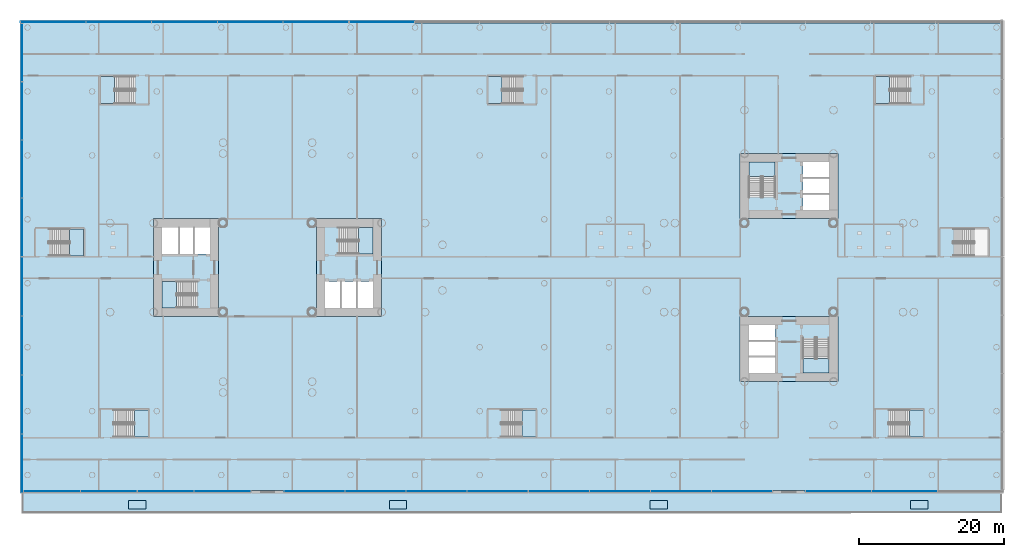
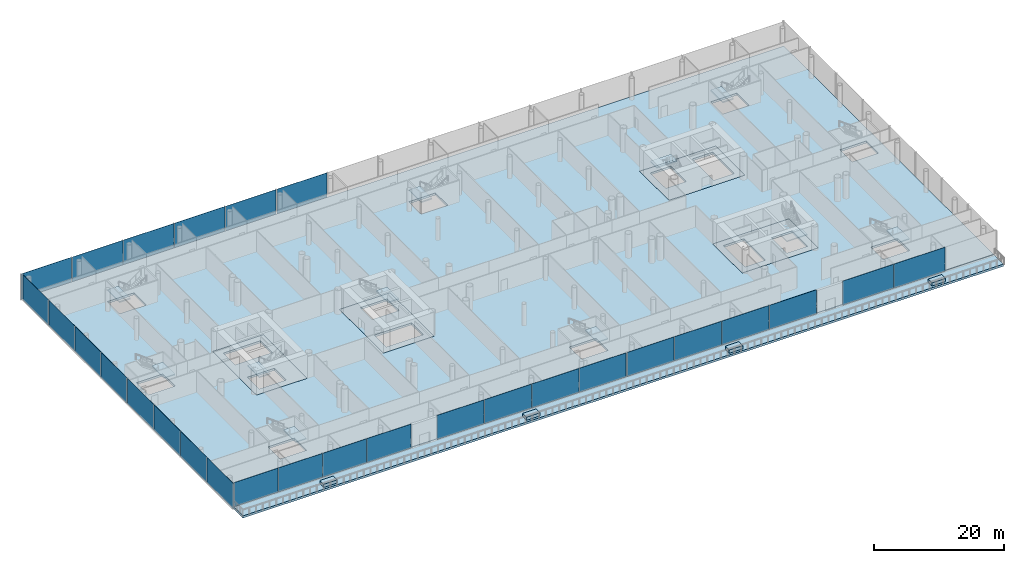
# One storey, part 15 of 49: 28 plates, 21 slabs, 19 elements without a shape of their own.
"""IFC4 building model written with IfcOpenShell, lengths in metres."""

from ifc_helpers import new_model, si_unit, direction, frame, origin, origin_2d, place, context, subcontext, project, spatial, polyline, rectangle, outline, extrude, material, layer, layer_set, type_object, element, aggregate, save


model = new_model("IFC4")

# Units and contexts
model_context = context("Model", 3, precision=1e-05, world=origin(), true_north=direction((0.0, 1.0)))
body_context = subcontext(model_context, "Body", "Model", "MODEL_VIEW")
ifc_project = project(units=[si_unit("LENGTHUNIT", "METRE"), si_unit("AREAUNIT", "SQUARE_METRE"), si_unit("VOLUMEUNIT", "CUBIC_METRE"), si_unit("PLANEANGLEUNIT", "RADIAN"), si_unit("MASSUNIT", "GRAM", prefix="KILO")], contexts=[model_context])

# Site, building, storey
site_placement = place(None, origin())
site = spatial("IfcSite", under=ifc_project, at=site_placement, CompositionType="ELEMENT")
building_placement = place(site_placement, origin())
building = spatial("IfcBuilding", under=site, at=building_placement, Name="Ipe Terrace Towers", CompositionType="ELEMENT")
storey_placement = place(building_placement, frame((0.0, 0.0, 20.0)))
storey = spatial("IfcBuildingStorey", under=building, at=storey_placement, Name="L04", CompositionType="ELEMENT", Elevation=20.0)

# Slabs
ifc_material_1 = material(Name="Concrete C30/37", Category="concrete")
ifc_layer_1 = layer(ifc_material_1, 0.39990234375)
ifc_layer_set_1 = layer_set([ifc_layer_1], Name="CORE FLOOR SLAB 400 C30-37")
slab_type_1 = type_object("IfcSlabType", Name="CORE FLOOR SLAB 400 C30-37", PredefinedType="FLOOR", material=ifc_layer_set_1)
slab_1_placement = place(storey_placement, frame((0.0, 0.0, -0.39990234375)))
element("IfcSlab", 1, at=slab_1_placement, inside=storey, type_object=slab_type_1, Name="Core floor T1-C1", PredefinedType="FLOOR", context=body_context, shape_type="SweptSolid", body=[
    extrude(outline(polyline([(-29.25, -6.75), (-29.25, 6.75), (-20.25, 6.75), (-20.25, -6.75), (-29.25, -6.75)]), holes=[polyline([(-28.050048828125, -5.550048828125), (-21.449951171875, -5.550048828125), (-21.449951171875, -1.89990234375), (-28.050048828125, -1.89990234375), (-28.050048828125, -5.550048828125)]), polyline([(-26.199951171875, 5.550048828125), (-26.199951171875, 1.89990234375), (-21.449951171875, 1.89990234375), (-21.449951171875, 5.550048828125), (-26.199951171875, 5.550048828125)])]), origin(), (0.0, 0.0, 1.0), 0.39990234375),
])
slab_2_placement = place(storey_placement, frame((0.0, 0.0, -0.39990234375)))
element("IfcSlab", 2, at=slab_2_placement, inside=storey, type_object=slab_type_1, Name="Core floor T1-C2", PredefinedType="FLOOR", context=body_context, shape_type="SweptSolid", body=[
    extrude(outline(polyline([(-51.75, -6.75), (-51.75, 6.75), (-42.75, 6.75), (-42.75, -6.75), (-51.75, -6.75)]), holes=[polyline([(-45.800048828125, -5.550048828125), (-45.800048828125, -1.89990234375), (-50.550048828125, -1.89990234375), (-50.550048828125, -5.550048828125), (-45.800048828125, -5.550048828125)]), polyline([(-50.550048828125, 1.89990234375), (-43.949951171875, 1.89990234375), (-43.949951171875, 5.550048828125), (-50.550048828125, 5.550048828125), (-50.550048828125, 1.89990234375)])]), origin(), (0.0, 0.0, 1.0), 0.39990234375),
])
slab_3_placement = place(storey_placement, frame((0.0, 0.0, -0.39990234375)))
element("IfcSlab", 3, at=slab_3_placement, inside=storey, type_object=slab_type_1, Name="Core floor T2-C1", PredefinedType="FLOOR", context=body_context, shape_type="SweptSolid", body=[
    extrude(outline(polyline([(29.25, 6.75), (29.25, 15.75), (42.75, 15.75), (42.75, 6.75), (29.25, 6.75)]), holes=[polyline([(41.550048828125, 7.949951171875), (41.550048828125, 14.550048828125), (37.89990234375, 14.550048828125), (37.89990234375, 7.949951171875), (41.550048828125, 7.949951171875)]), polyline([(30.449951171875, 9.800048828125), (34.10009765625, 9.800048828125), (34.10009765625, 14.550048828125), (30.449951171875, 14.550048828125), (30.449951171875, 9.800048828125)])]), origin(), (0.0, 0.0, 1.0), 0.39990234375),
])
slab_4_placement = place(storey_placement, frame((0.0, 0.0, -0.39990234375)))
element("IfcSlab", 4, at=slab_4_placement, inside=storey, type_object=slab_type_1, Name="Core floor T2-C2", PredefinedType="FLOOR", context=body_context, shape_type="SweptSolid", body=[
    extrude(outline(polyline([(29.25, -15.75), (29.25, -6.75), (42.75, -6.75), (42.75, -15.75), (29.25, -15.75)]), holes=[polyline([(34.10009765625, -14.550048828125), (34.10009765625, -7.949951171875), (30.449951171875, -7.949951171875), (30.449951171875, -14.550048828125), (34.10009765625, -14.550048828125)]), polyline([(41.550048828125, -9.800048828125), (37.89990234375, -9.800048828125), (37.89990234375, -14.550048828125), (41.550048828125, -14.550048828125), (41.550048828125, -9.800048828125)])]), origin(), (0.0, 0.0, 1.0), 0.39990234375),
])

# Stair, slab
ifc_material_2 = material(Name="Concrete C30/37", Category="concrete")
stair_type = type_object("IfcStairType", Name="Protected exit stair", PredefinedType="HALF_TURN_STAIR", material=ifc_material_2)
stair_1_placement = place(storey_placement, origin())
stair_1 = element("IfcStair", 5, at=stair_1_placement, inside=storey, type_object=stair_type, Name="L04 Exit stair T1-C1", PredefinedType="HALF_TURN_STAIR")
ifc_material_3 = material(Name="Concrete C30/37", Category="concrete")
ifc_layer_2 = layer(ifc_material_3, 0.199951171875)
ifc_layer_set_2 = layer_set([ifc_layer_2], Name="Exit stair landing 200")
slab_type_2 = type_object("IfcSlabType", Name="Exit stair landing 200", PredefinedType="LANDING", material=ifc_layer_set_2)
slab_5_placement = place(storey_placement, frame((0.0, 0.0, 2.050048828125)))
slab_5 = element("IfcSlab", 6, at=slab_5_placement, type_object=slab_type_2, Name="T1-ST1 landing 1", PredefinedType="LANDING", context=body_context, shape_type="SweptSolid", body=[
    extrude(outline(polyline([(-23.43994140625, 1.89990234375), (-21.449951171875, 1.89990234375), (-21.449951171875, 5.550048828125), (-23.43994140625, 5.550048828125), (-23.43994140625, 1.89990234375)])), origin(), (0.0, 0.0, 1.0), 0.199951171875),
])
aggregate(stair_1, [slab_5])

stair_2_placement = place(storey_placement, origin())
stair_2 = element("IfcStair", 7, at=stair_2_placement, inside=storey, type_object=stair_type, Name="L04 Exit stair T1-C2", PredefinedType="HALF_TURN_STAIR")
slab_6_placement = place(storey_placement, frame((0.0, 0.0, 2.050048828125)))
slab_6 = element("IfcSlab", 8, at=slab_6_placement, type_object=slab_type_2, Name="T1-ST2 landing 1", PredefinedType="LANDING", context=body_context, shape_type="SweptSolid", body=[
    extrude(outline(polyline([(-48.56005859375, -1.89990234375), (-50.550048828125, -1.89990234375), (-50.550048828125, -5.550048828125), (-48.56005859375, -5.550048828125), (-48.56005859375, -1.89990234375)])), origin(), (0.0, 0.0, 1.0), 0.199951171875),
])
aggregate(stair_2, [slab_6])

stair_3_placement = place(storey_placement, origin())
stair_3 = element("IfcStair", 9, at=stair_3_placement, inside=storey, type_object=stair_type, Name="L04 Exit stair T2-C1", PredefinedType="HALF_TURN_STAIR")
slab_7_placement = place(storey_placement, frame((0.0, 0.0, 2.050048828125)))
slab_7 = element("IfcSlab", 10, at=slab_7_placement, type_object=slab_type_2, Name="T2-ST1 landing 1", PredefinedType="LANDING", context=body_context, shape_type="SweptSolid", body=[
    extrude(outline(polyline([(34.10009765625, 12.56005859375), (34.10009765625, 14.550048828125), (30.449951171875, 14.550048828125), (30.449951171875, 12.56005859375), (34.10009765625, 12.56005859375)])), origin(), (0.0, 0.0, 1.0), 0.199951171875),
])
aggregate(stair_3, [slab_7])

stair_4_placement = place(storey_placement, origin())
stair_4 = element("IfcStair", 11, at=stair_4_placement, inside=storey, type_object=stair_type, Name="L04 Exit stair T2-C2", PredefinedType="HALF_TURN_STAIR")
slab_8_placement = place(storey_placement, frame((0.0, 0.0, 2.050048828125)))
slab_8 = element("IfcSlab", 12, at=slab_8_placement, type_object=slab_type_2, Name="T2-ST2 landing 1", PredefinedType="LANDING", context=body_context, shape_type="SweptSolid", body=[
    extrude(outline(polyline([(37.89990234375, -12.56005859375), (37.89990234375, -14.550048828125), (41.550048828125, -14.550048828125), (41.550048828125, -12.56005859375), (37.89990234375, -12.56005859375)])), origin(), (0.0, 0.0, 1.0), 0.199951171875),
])
aggregate(stair_4, [slab_8])

stair_5_placement = place(storey_placement, origin())
stair_5 = element("IfcStair", 13, at=stair_5_placement, inside=storey, type_object=stair_type, Name="L04 Podium exit stair PS1", PredefinedType="HALF_TURN_STAIR")
slab_9_placement = place(storey_placement, frame((0.0, 0.0, 2.050048828125)))
slab_9 = element("IfcSlab", 14, at=slab_9_placement, type_object=slab_type_2, Name="PS1 landing 1", PredefinedType="LANDING", context=body_context, shape_type="SweptSolid", body=[
    extrude(outline(polyline([(-57.1298828125, 26.39990234375), (-59.070068359375, 26.39990234375), (-59.070068359375, 22.64990234375), (-57.1298828125, 22.64990234375), (-57.1298828125, 26.39990234375)])), origin(), (0.0, 0.0, 1.0), 0.199951171875),
])
aggregate(stair_5, [slab_9])

stair_6_placement = place(storey_placement, origin())
stair_6 = element("IfcStair", 15, at=stair_6_placement, inside=storey, type_object=stair_type, Name="L04 Podium exit stair PS2", PredefinedType="HALF_TURN_STAIR")
slab_10_placement = place(storey_placement, frame((0.0, 0.0, 2.050048828125)))
slab_10 = element("IfcSlab", 16, at=slab_10_placement, type_object=slab_type_2, Name="PS2 landing 1", PredefinedType="LANDING", context=body_context, shape_type="SweptSolid", body=[
    extrude(outline(polyline([(-3.610107421875, 26.39990234375), (-5.550048828125, 26.39990234375), (-5.550048828125, 22.64990234375), (-3.610107421875, 22.64990234375), (-3.610107421875, 26.39990234375)])), origin(), (0.0, 0.0, 1.0), 0.199951171875),
])
aggregate(stair_6, [slab_10])

stair_7_placement = place(storey_placement, origin())
stair_7 = element("IfcStair", 17, at=stair_7_placement, inside=storey, type_object=stair_type, Name="L04 Podium exit stair PS3", PredefinedType="HALF_TURN_STAIR")
slab_11_placement = place(storey_placement, frame((0.0, 0.0, 2.050048828125)))
slab_11 = element("IfcSlab", 18, at=slab_11_placement, type_object=slab_type_2, Name="PS3 landing 1", PredefinedType="LANDING", context=body_context, shape_type="SweptSolid", body=[
    extrude(outline(polyline([(49.909912109375, 26.39990234375), (47.969970703125, 26.39990234375), (47.969970703125, 22.64990234375), (49.909912109375, 22.64990234375), (49.909912109375, 26.39990234375)])), origin(), (0.0, 0.0, 1.0), 0.199951171875),
])
aggregate(stair_7, [slab_11])

stair_8_placement = place(storey_placement, origin())
stair_8 = element("IfcStair", 19, at=stair_8_placement, inside=storey, type_object=stair_type, Name="L04 Podium exit stair PS4", PredefinedType="HALF_TURN_STAIR")
slab_12_placement = place(storey_placement, frame((0.0, 0.0, 2.050048828125)))
slab_12 = element("IfcSlab", 20, at=slab_12_placement, type_object=slab_type_2, Name="PS4 landing 1", PredefinedType="LANDING", context=body_context, shape_type="SweptSolid", body=[
    extrude(outline(polyline([(-54.409912109375, -23.39990234375), (-52.469970703125, -23.39990234375), (-52.469970703125, -19.64990234375), (-54.409912109375, -19.64990234375), (-54.409912109375, -23.39990234375)])), origin(), (0.0, 0.0, 1.0), 0.199951171875),
])
aggregate(stair_8, [slab_12])

stair_9_placement = place(storey_placement, origin())
stair_9 = element("IfcStair", 21, at=stair_9_placement, inside=storey, type_object=stair_type, Name="L04 Podium exit stair PS5", PredefinedType="HALF_TURN_STAIR")
slab_13_placement = place(storey_placement, frame((0.0, 0.0, 2.050048828125)))
slab_13 = element("IfcSlab", 22, at=slab_13_placement, type_object=slab_type_2, Name="PS5 landing 1", PredefinedType="LANDING", context=body_context, shape_type="SweptSolid", body=[
    extrude(outline(polyline([(-0.889892578125, -23.39990234375), (1.050048828125, -23.39990234375), (1.050048828125, -19.64990234375), (-0.889892578125, -19.64990234375), (-0.889892578125, -23.39990234375)])), origin(), (0.0, 0.0, 1.0), 0.199951171875),
])
aggregate(stair_9, [slab_13])

stair_10_placement = place(storey_placement, origin())
stair_10 = element("IfcStair", 23, at=stair_10_placement, inside=storey, type_object=stair_type, Name="L04 Podium exit stair PS6", PredefinedType="HALF_TURN_STAIR")
slab_14_placement = place(storey_placement, frame((0.0, 0.0, 2.050048828125)))
slab_14 = element("IfcSlab", 24, at=slab_14_placement, type_object=slab_type_2, Name="PS6 landing 1", PredefinedType="LANDING", context=body_context, shape_type="SweptSolid", body=[
    extrude(outline(polyline([(52.6298828125, -23.39990234375), (54.570068359375, -23.39990234375), (54.570068359375, -19.64990234375), (52.6298828125, -19.64990234375), (52.6298828125, -23.39990234375)])), origin(), (0.0, 0.0, 1.0), 0.199951171875),
])
aggregate(stair_10, [slab_14])

stair_11_placement = place(storey_placement, origin())
stair_11 = element("IfcStair", 25, at=stair_11_placement, inside=storey, type_object=stair_type, Name="L04 Podium exit stair PS7", PredefinedType="HALF_TURN_STAIR")
slab_15_placement = place(storey_placement, frame((0.0, 0.0, 2.050048828125)))
slab_15 = element("IfcSlab", 26, at=slab_15_placement, type_object=slab_type_2, Name="PS7 landing 1", PredefinedType="LANDING", context=body_context, shape_type="SweptSolid", body=[
    extrude(outline(polyline([(-63.330078125, 1.60009765625), (-61.389892578125, 1.60009765625), (-61.389892578125, 5.35009765625), (-63.330078125, 5.35009765625), (-63.330078125, 1.60009765625)])), origin(), (0.0, 0.0, 1.0), 0.199951171875),
])
aggregate(stair_11, [slab_15])

# Slab
ifc_material_4 = material(Name="Concrete C40/50", Category="concrete")
ifc_layer_3 = layer(ifc_material_4, 0.39990234375)
ifc_layer_set_3 = layer_set([ifc_layer_3], Name="PODIUM FLOOR SLAB 400 C40-50")
slab_type_3 = type_object("IfcSlabType", Name="PODIUM FLOOR SLAB 400 C40-50", PredefinedType="FLOOR", material=ifc_layer_set_3)
slab_16_placement = place(storey_placement, frame((0.0, 0.0, -0.39990234375)))
element("IfcSlab", 27, at=slab_16_placement, inside=storey, type_object=slab_type_3, Name="Slab PD-FS-L04", PredefinedType="FLOOR", context=body_context, shape_type="SweptSolid", body=[
    extrude(outline(polyline([(-69.75, -30.75), (-69.75, 33.75), (65.25, 33.75), (65.25, -30.75), (-69.75, -30.75)]), holes=[polyline([(-20.25, -6.75), (-20.25, 6.75), (-29.25, 6.75), (-29.25, -6.75), (-20.25, -6.75)]), polyline([(-51.75, -6.75), (-42.75, -6.75), (-42.75, 6.75), (-51.75, 6.75), (-51.75, -6.75)]), polyline([(29.25, 15.75), (29.25, 6.75), (42.75, 6.75), (42.75, 15.75), (29.25, 15.75)]), polyline([(42.75, -6.75), (29.25, -6.75), (29.25, -15.75), (42.75, -15.75), (42.75, -6.75)]), polyline([(-52.469970703125, -19.64990234375), (-57.169921875, -19.64990234375), (-57.169921875, -23.39990234375), (-52.469970703125, -23.39990234375), (-52.469970703125, -19.64990234375)]), polyline([(1.050048828125, -19.64990234375), (-3.64990234375, -19.64990234375), (-3.64990234375, -23.39990234375), (1.050048828125, -23.39990234375), (1.050048828125, -19.64990234375)]), polyline([(54.570068359375, -19.64990234375), (49.8701171875, -19.64990234375), (49.8701171875, -23.39990234375), (54.570068359375, -23.39990234375), (54.570068359375, -19.64990234375)]), polyline([(-61.389892578125, 5.35009765625), (-66.090087890625, 5.35009765625), (-66.090087890625, 1.60009765625), (-61.389892578125, 1.60009765625), (-61.389892578125, 5.35009765625)]), polyline([(63.489990234375, 5.35009765625), (58.7900390625, 5.35009765625), (58.7900390625, 1.60009765625), (63.489990234375, 1.60009765625), (63.489990234375, 5.35009765625)]), polyline([(-59.070068359375, 22.64990234375), (-54.3701171875, 22.64990234375), (-54.3701171875, 26.39990234375), (-59.070068359375, 26.39990234375), (-59.070068359375, 22.64990234375)]), polyline([(-5.550048828125, 22.64990234375), (-0.85009765625, 22.64990234375), (-0.85009765625, 26.39990234375), (-5.550048828125, 26.39990234375), (-5.550048828125, 22.64990234375)]), polyline([(47.969970703125, 22.64990234375), (52.669921875, 22.64990234375), (52.669921875, 26.39990234375), (47.969970703125, 26.39990234375), (47.969970703125, 22.64990234375)])]), origin(), (0.0, 0.0, 1.0), 0.39990234375),
])

# Curtain wall, plate
ifc_material_5 = material(Name="Aluminium alloy 6063-T6", Category="aluminium")
ifc_layer_4 = layer(ifc_material_5, 0.43994140625)
ifc_layer_set_4 = layer_set([ifc_layer_4], Name="PODIUM GLAZING CURTAIN WALL")
curtain_wall_type = type_object("IfcCurtainWallType", Name="PODIUM GLAZING CURTAIN WALL", PredefinedType="NOTDEFINED", material=ifc_layer_set_4)
curtain_wall_1_placement = place(storey_placement, origin())
curtain_wall_1 = element("IfcCurtainWall", 28, at=curtain_wall_1_placement, inside=storey, type_object=curtain_wall_type, Name="POD-CW-L04-01b curtain wall", PredefinedType="NOTDEFINED")
ifc_material_6 = material(Name="Glass, clear laminated", Category="glass")
ifc_layer_5 = layer(ifc_material_6, 0.035888671875)
ifc_layer_set_5 = layer_set([ifc_layer_5], Name="PODIUM GLAZING GLASS PANEL 36")
plate_type = type_object("IfcPlateType", Name="PODIUM GLAZING GLASS PANEL 36", PredefinedType="CURTAIN_PANEL", material=ifc_layer_set_5)
plate_1_placement = place(storey_placement, frame((-20.218017578125, 33.89990234375, -0.2998046875), z_axis=(0.0, 0.0, 1.0), x_axis=(-1.0, 0.0, 0.0)))
plate_1 = element("IfcPlate", 29, at=plate_1_placement, type_object=plate_type, Name="POD-CW-L04-01b panel 5", PredefinedType="CURTAIN_PANEL", context=body_context, shape_type="SweptSolid", body=[
    extrude(rectangle(XDim=8.904052734375, YDim=0.035888671875, at=origin_2d()), origin(), (0.0, 0.0, 1.0), 4.800048828125),
])
aggregate(curtain_wall_1, [plate_1])

# Curtain wall, plates
curtain_wall_2_placement = place(storey_placement, origin())
curtain_wall_2 = element("IfcCurtainWall", 30, at=curtain_wall_2_placement, inside=storey, type_object=curtain_wall_type, Name="POD-CW-L04-01c curtain wall", PredefinedType="NOTDEFINED")
plate_2_placement = place(storey_placement, frame((-29.325927734375, 33.89990234375, -0.2998046875), z_axis=(0.0, 0.0, 1.0), x_axis=(-1.0, 0.0, 0.0)))
plate_2 = element("IfcPlate", 31, at=plate_2_placement, type_object=plate_type, Name="POD-CW-L04-01c panel 1", PredefinedType="CURTAIN_PANEL", context=body_context, shape_type="SweptSolid", body=[
    extrude(rectangle(XDim=8.991943359375, YDim=0.035888671875, at=origin_2d()), origin(), (0.0, 0.0, 1.0), 4.800048828125),
])
plate_3_placement = place(storey_placement, frame((-38.39794921875, 33.89990234375, -0.2998046875), z_axis=(0.0, 0.0, 1.0), x_axis=(-1.0, 0.0, 0.0)))
plate_3 = element("IfcPlate", 32, at=plate_3_placement, type_object=plate_type, Name="POD-CW-L04-01c panel 2", PredefinedType="CURTAIN_PANEL", context=body_context, shape_type="SweptSolid", body=[
    extrude(rectangle(XDim=8.991943359375, YDim=0.035888671875, at=origin_2d()), origin(), (0.0, 0.0, 1.0), 4.800048828125),
])
plate_4_placement = place(storey_placement, frame((-47.469970703125, 33.89990234375, -0.2998046875), z_axis=(0.0, 0.0, 1.0), x_axis=(-1.0, 0.0, 0.0)))
plate_4 = element("IfcPlate", 33, at=plate_4_placement, type_object=plate_type, Name="POD-CW-L04-01c panel 3", PredefinedType="CURTAIN_PANEL", context=body_context, shape_type="SweptSolid", body=[
    extrude(rectangle(XDim=8.991943359375, YDim=0.035888671875, at=origin_2d()), origin(), (0.0, 0.0, 1.0), 4.800048828125),
])
plate_5_placement = place(storey_placement, frame((-56.5419921875, 33.89990234375, -0.2998046875), z_axis=(0.0, 0.0, 1.0), x_axis=(-1.0, 0.0, 0.0)))
plate_5 = element("IfcPlate", 34, at=plate_5_placement, type_object=plate_type, Name="POD-CW-L04-01c panel 4", PredefinedType="CURTAIN_PANEL", context=body_context, shape_type="SweptSolid", body=[
    extrude(rectangle(XDim=8.991943359375, YDim=0.035888671875, at=origin_2d()), origin(), (0.0, 0.0, 1.0), 4.800048828125),
])
plate_6_placement = place(storey_placement, frame((-65.614013671875, 33.89990234375, -0.2998046875), z_axis=(0.0, 0.0, 1.0), x_axis=(-1.0, 0.0, 0.0)))
plate_6 = element("IfcPlate", 35, at=plate_6_placement, type_object=plate_type, Name="POD-CW-L04-01c panel 5", PredefinedType="CURTAIN_PANEL", context=body_context, shape_type="SweptSolid", body=[
    extrude(rectangle(XDim=8.991943359375, YDim=0.035888671875, at=origin_2d()), origin(), (0.0, 0.0, 1.0), 4.800048828125),
])
aggregate(curtain_wall_2, [plate_2, plate_3, plate_4, plate_5, plate_6])

curtain_wall_3_placement = place(storey_placement, origin())
curtain_wall_3 = element("IfcCurtainWall", 36, at=curtain_wall_3_placement, inside=storey, type_object=curtain_wall_type, Name="POD-CW-L04-02a curtain wall", PredefinedType="NOTDEFINED")
plate_7_placement = place(storey_placement, frame((-69.89990234375, 29.688720703125, -0.2998046875), z_axis=(0.0, 0.0, 1.0), x_axis=(0.0, -1.0, 0.0)))
plate_7 = element("IfcPlate", 37, at=plate_7_placement, type_object=plate_type, Name="POD-CW-L04-02a panel 1", PredefinedType="CURTAIN_PANEL", context=body_context, shape_type="SweptSolid", body=[
    extrude(rectangle(XDim=7.96240234375, YDim=0.035888671875, at=origin_2d()), origin(), (0.0, 0.0, 1.0), 4.800048828125),
])
plate_8_placement = place(storey_placement, frame((-69.89990234375, 21.646240234375, -0.2998046875), z_axis=(0.0, 0.0, 1.0), x_axis=(0.0, -1.0, 0.0)))
plate_8 = element("IfcPlate", 38, at=plate_8_placement, type_object=plate_type, Name="POD-CW-L04-02a panel 2", PredefinedType="CURTAIN_PANEL", context=body_context, shape_type="SweptSolid", body=[
    extrude(rectangle(XDim=7.96240234375, YDim=0.035888671875, at=origin_2d()), origin(), (0.0, 0.0, 1.0), 4.800048828125),
])
plate_9_placement = place(storey_placement, frame((-69.89990234375, 13.603759765625, -0.2998046875), z_axis=(0.0, 0.0, 1.0), x_axis=(0.0, -1.0, 0.0)))
plate_9 = element("IfcPlate", 39, at=plate_9_placement, type_object=plate_type, Name="POD-CW-L04-02a panel 3", PredefinedType="CURTAIN_PANEL", context=body_context, shape_type="SweptSolid", body=[
    extrude(rectangle(XDim=7.96240234375, YDim=0.035888671875, at=origin_2d()), origin(), (0.0, 0.0, 1.0), 4.800048828125),
])
plate_10_placement = place(storey_placement, frame((-69.89990234375, 5.561279296875, -0.2998046875), z_axis=(0.0, 0.0, 1.0), x_axis=(0.0, -1.0, 0.0)))
plate_10 = element("IfcPlate", 40, at=plate_10_placement, type_object=plate_type, Name="POD-CW-L04-02a panel 4", PredefinedType="CURTAIN_PANEL", context=body_context, shape_type="SweptSolid", body=[
    extrude(rectangle(XDim=7.96240234375, YDim=0.035888671875, at=origin_2d()), origin(), (0.0, 0.0, 1.0), 4.800048828125),
])
aggregate(curtain_wall_3, [plate_7, plate_8, plate_9, plate_10])

curtain_wall_4_placement = place(storey_placement, origin())
curtain_wall_4 = element("IfcCurtainWall", 41, at=curtain_wall_4_placement, inside=storey, type_object=curtain_wall_type, Name="POD-CW-L04-02b curtain wall", PredefinedType="NOTDEFINED")
plate_11_placement = place(storey_placement, frame((-69.89990234375, -2.6162109375, -0.2998046875), z_axis=(0.0, 0.0, 1.0), x_axis=(0.0, -1.0, 0.0)))
plate_11 = element("IfcPlate", 42, at=plate_11_placement, type_object=plate_type, Name="POD-CW-L04-02b panel 1", PredefinedType="CURTAIN_PANEL", context=body_context, shape_type="SweptSolid", body=[
    extrude(rectangle(XDim=8.072509765625, YDim=0.035888671875, at=origin_2d()), origin(), (0.0, 0.0, 1.0), 4.800048828125),
])
plate_12_placement = place(storey_placement, frame((-69.89990234375, -10.768798828125, -0.2998046875), z_axis=(0.0, 0.0, 1.0), x_axis=(0.0, -1.0, 0.0)))
plate_12 = element("IfcPlate", 43, at=plate_12_placement, type_object=plate_type, Name="POD-CW-L04-02b panel 2", PredefinedType="CURTAIN_PANEL", context=body_context, shape_type="SweptSolid", body=[
    extrude(rectangle(XDim=8.072509765625, YDim=0.035888671875, at=origin_2d()), origin(), (0.0, 0.0, 1.0), 4.800048828125),
])
plate_13_placement = place(storey_placement, frame((-69.89990234375, -18.921142578125, -0.2998046875), z_axis=(0.0, 0.0, 1.0), x_axis=(0.0, -1.0, 0.0)))
plate_13 = element("IfcPlate", 44, at=plate_13_placement, type_object=plate_type, Name="POD-CW-L04-02b panel 3", PredefinedType="CURTAIN_PANEL", context=body_context, shape_type="SweptSolid", body=[
    extrude(rectangle(XDim=8.072509765625, YDim=0.035888671875, at=origin_2d()), origin(), (0.0, 0.0, 1.0), 4.800048828125),
])
plate_14_placement = place(storey_placement, frame((-69.89990234375, -27.07373046875, -0.2998046875), z_axis=(0.0, 0.0, 1.0), x_axis=(0.0, -1.0, 0.0)))
plate_14 = element("IfcPlate", 45, at=plate_14_placement, type_object=plate_type, Name="POD-CW-L04-02b panel 4", PredefinedType="CURTAIN_PANEL", context=body_context, shape_type="SweptSolid", body=[
    extrude(rectangle(XDim=8.072509765625, YDim=0.035888671875, at=origin_2d()), origin(), (0.0, 0.0, 1.0), 4.800048828125),
])
aggregate(curtain_wall_4, [plate_11, plate_12, plate_13, plate_14])

curtain_wall_5_placement = place(storey_placement, origin())
curtain_wall_5 = element("IfcCurtainWall", 46, at=curtain_wall_5_placement, inside=storey, type_object=curtain_wall_type, Name="POD-CW-L04-03a curtain wall", PredefinedType="NOTDEFINED")
plate_15_placement = place(storey_placement, frame((-65.782470703125, -30.89990234375, -0.02001953125), z_axis=(0.0, 0.0, 1.0), x_axis=(1.0, 0.0, 0.0)))
plate_15 = element("IfcPlate", 47, at=plate_15_placement, type_object=plate_type, Name="POD-CW-L04-03a panel 1", PredefinedType="CURTAIN_PANEL", context=body_context, shape_type="SweptSolid", body=[
    extrude(rectangle(XDim=7.77490234375, YDim=0.035888671875, at=origin_2d()), origin(), (0.0, 0.0, 1.0), 4.52001953125),
])
plate_16_placement = place(storey_placement, frame((-57.927490234375, -30.89990234375, -0.02001953125), z_axis=(0.0, 0.0, 1.0), x_axis=(1.0, 0.0, 0.0)))
plate_16 = element("IfcPlate", 48, at=plate_16_placement, type_object=plate_type, Name="POD-CW-L04-03a panel 2", PredefinedType="CURTAIN_PANEL", context=body_context, shape_type="SweptSolid", body=[
    extrude(rectangle(XDim=7.77490234375, YDim=0.035888671875, at=origin_2d()), origin(), (0.0, 0.0, 1.0), 4.52001953125),
])
plate_17_placement = place(storey_placement, frame((-50.072509765625, -30.89990234375, -0.02001953125), z_axis=(0.0, 0.0, 1.0), x_axis=(1.0, 0.0, 0.0)))
plate_17 = element("IfcPlate", 49, at=plate_17_placement, type_object=plate_type, Name="POD-CW-L04-03a panel 3", PredefinedType="CURTAIN_PANEL", context=body_context, shape_type="SweptSolid", body=[
    extrude(rectangle(XDim=7.77490234375, YDim=0.035888671875, at=origin_2d()), origin(), (0.0, 0.0, 1.0), 4.52001953125),
])
plate_18_placement = place(storey_placement, frame((-42.217529296875, -30.89990234375, -0.02001953125), z_axis=(0.0, 0.0, 1.0), x_axis=(1.0, 0.0, 0.0)))
plate_18 = element("IfcPlate", 50, at=plate_18_placement, type_object=plate_type, Name="POD-CW-L04-03a panel 4", PredefinedType="CURTAIN_PANEL", context=body_context, shape_type="SweptSolid", body=[
    extrude(rectangle(XDim=7.77490234375, YDim=0.035888671875, at=origin_2d()), origin(), (0.0, 0.0, 1.0), 4.52001953125),
])
aggregate(curtain_wall_5, [plate_15, plate_16, plate_17, plate_18])

curtain_wall_6_placement = place(storey_placement, origin())
curtain_wall_6 = element("IfcCurtainWall", 51, at=curtain_wall_6_placement, inside=storey, type_object=curtain_wall_type, Name="POD-CW-L04-03c curtain wall", PredefinedType="NOTDEFINED")
plate_19_placement = place(storey_placement, frame((-29.501220703125, -30.89990234375, -0.02001953125), z_axis=(0.0, 0.0, 1.0), x_axis=(1.0, 0.0, 0.0)))
plate_19 = element("IfcPlate", 52, at=plate_19_placement, type_object=plate_type, Name="POD-CW-L04-03c panel 1", PredefinedType="CURTAIN_PANEL", context=body_context, shape_type="SweptSolid", body=[
    extrude(rectangle(XDim=8.33740234375, YDim=0.035888671875, at=origin_2d()), origin(), (0.0, 0.0, 1.0), 4.52001953125),
])
plate_20_placement = place(storey_placement, frame((-21.083740234375, -30.89990234375, -0.02001953125), z_axis=(0.0, 0.0, 1.0), x_axis=(1.0, 0.0, 0.0)))
plate_20 = element("IfcPlate", 53, at=plate_20_placement, type_object=plate_type, Name="POD-CW-L04-03c panel 2", PredefinedType="CURTAIN_PANEL", context=body_context, shape_type="SweptSolid", body=[
    extrude(rectangle(XDim=8.33740234375, YDim=0.035888671875, at=origin_2d()), origin(), (0.0, 0.0, 1.0), 4.52001953125),
])
plate_21_placement = place(storey_placement, frame((-12.666259765625, -30.89990234375, -0.02001953125), z_axis=(0.0, 0.0, 1.0), x_axis=(1.0, 0.0, 0.0)))
plate_21 = element("IfcPlate", 54, at=plate_21_placement, type_object=plate_type, Name="POD-CW-L04-03c panel 3", PredefinedType="CURTAIN_PANEL", context=body_context, shape_type="SweptSolid", body=[
    extrude(rectangle(XDim=8.33740234375, YDim=0.035888671875, at=origin_2d()), origin(), (0.0, 0.0, 1.0), 4.52001953125),
])
plate_22_placement = place(storey_placement, frame((-4.248779296875, -30.89990234375, -0.02001953125), z_axis=(0.0, 0.0, 1.0), x_axis=(1.0, 0.0, 0.0)))
plate_22 = element("IfcPlate", 55, at=plate_22_placement, type_object=plate_type, Name="POD-CW-L04-03c panel 4", PredefinedType="CURTAIN_PANEL", context=body_context, shape_type="SweptSolid", body=[
    extrude(rectangle(XDim=8.33740234375, YDim=0.035888671875, at=origin_2d()), origin(), (0.0, 0.0, 1.0), 4.52001953125),
])
aggregate(curtain_wall_6, [plate_19, plate_20, plate_21, plate_22])

curtain_wall_7_placement = place(storey_placement, origin())
curtain_wall_7 = element("IfcCurtainWall", 56, at=curtain_wall_7_placement, inside=storey, type_object=curtain_wall_type, Name="POD-CW-L04-03d curtain wall", PredefinedType="NOTDEFINED")
plate_23_placement = place(storey_placement, frame((4.248779296875, -30.89990234375, -0.02001953125), z_axis=(0.0, 0.0, 1.0), x_axis=(1.0, 0.0, 0.0)))
plate_23 = element("IfcPlate", 57, at=plate_23_placement, type_object=plate_type, Name="POD-CW-L04-03d panel 1", PredefinedType="CURTAIN_PANEL", context=body_context, shape_type="SweptSolid", body=[
    extrude(rectangle(XDim=8.33740234375, YDim=0.035888671875, at=origin_2d()), origin(), (0.0, 0.0, 1.0), 4.52001953125),
])
plate_24_placement = place(storey_placement, frame((12.666259765625, -30.89990234375, -0.02001953125), z_axis=(0.0, 0.0, 1.0), x_axis=(1.0, 0.0, 0.0)))
plate_24 = element("IfcPlate", 58, at=plate_24_placement, type_object=plate_type, Name="POD-CW-L04-03d panel 2", PredefinedType="CURTAIN_PANEL", context=body_context, shape_type="SweptSolid", body=[
    extrude(rectangle(XDim=8.33740234375, YDim=0.035888671875, at=origin_2d()), origin(), (0.0, 0.0, 1.0), 4.52001953125),
])
plate_25_placement = place(storey_placement, frame((21.083740234375, -30.89990234375, -0.02001953125), z_axis=(0.0, 0.0, 1.0), x_axis=(1.0, 0.0, 0.0)))
plate_25 = element("IfcPlate", 59, at=plate_25_placement, type_object=plate_type, Name="POD-CW-L04-03d panel 3", PredefinedType="CURTAIN_PANEL", context=body_context, shape_type="SweptSolid", body=[
    extrude(rectangle(XDim=8.33740234375, YDim=0.035888671875, at=origin_2d()), origin(), (0.0, 0.0, 1.0), 4.52001953125),
])
plate_26_placement = place(storey_placement, frame((29.501220703125, -30.89990234375, -0.02001953125), z_axis=(0.0, 0.0, 1.0), x_axis=(1.0, 0.0, 0.0)))
plate_26 = element("IfcPlate", 60, at=plate_26_placement, type_object=plate_type, Name="POD-CW-L04-03d panel 4", PredefinedType="CURTAIN_PANEL", context=body_context, shape_type="SweptSolid", body=[
    extrude(rectangle(XDim=8.33740234375, YDim=0.035888671875, at=origin_2d()), origin(), (0.0, 0.0, 1.0), 4.52001953125),
])
aggregate(curtain_wall_7, [plate_23, plate_24, plate_25, plate_26])

curtain_wall_8_placement = place(storey_placement, origin())
curtain_wall_8 = element("IfcCurtainWall", 61, at=curtain_wall_8_placement, inside=storey, type_object=curtain_wall_type, Name="POD-CW-L04-03f curtain wall", PredefinedType="NOTDEFINED")
plate_27_placement = place(storey_placement, frame((42.85009765625, -30.89990234375, -0.02001953125), z_axis=(0.0, 0.0, 1.0), x_axis=(1.0, 0.0, 0.0)))
plate_27 = element("IfcPlate", 62, at=plate_27_placement, type_object=plate_type, Name="POD-CW-L04-03f panel 1", PredefinedType="CURTAIN_PANEL", context=body_context, shape_type="SweptSolid", body=[
    extrude(rectangle(XDim=9.0400390625, YDim=0.035888671875, at=origin_2d()), origin(), (0.0, 0.0, 1.0), 4.52001953125),
])
plate_28_placement = place(storey_placement, frame((51.969970703125, -30.89990234375, -0.02001953125), z_axis=(0.0, 0.0, 1.0), x_axis=(1.0, 0.0, 0.0)))
plate_28 = element("IfcPlate", 63, at=plate_28_placement, type_object=plate_type, Name="POD-CW-L04-03f panel 2", PredefinedType="CURTAIN_PANEL", context=body_context, shape_type="SweptSolid", body=[
    extrude(rectangle(XDim=9.0400390625, YDim=0.035888671875, at=origin_2d()), origin(), (0.0, 0.0, 1.0), 4.52001953125),
])
aggregate(curtain_wall_8, [plate_27, plate_28])

# Slabs
ifc_material_7 = material(Name="Concrete C30/37", Category="concrete")
ifc_layer_6 = layer(ifc_material_7, 0.60009765625)
ifc_layer_set_6 = layer_set([ifc_layer_6], Name="SHRUB TROUGH 2400 x 1200 x 600")
slab_type_4 = type_object("IfcSlabType", Name="SHRUB TROUGH 2400 x 1200 x 600", PredefinedType="USERDEFINED", material=ifc_layer_set_6)
slab_17_placement = place(storey_placement, frame((0.0, 0.0, -0.02001953125)))
element("IfcSlab", 64, at=slab_17_placement, inside=storey, type_object=slab_type_4, Name="planter", ObjectType="PLANTER", PredefinedType="USERDEFINED", context=body_context, shape_type="SweptSolid", body=[
    extrude(outline(polyline([(-55.199951171875, -33.360107421875), (-52.800048828125, -33.360107421875), (-52.800048828125, -32.159912109375), (-55.199951171875, -32.159912109375), (-55.199951171875, -33.360107421875)])), origin(), (0.0, 0.0, 1.0), 0.60009765625),
])
slab_18_placement = place(storey_placement, frame((0.0, 0.0, -0.02001953125)))
element("IfcSlab", 65, at=slab_18_placement, inside=storey, type_object=slab_type_4, Name="planter", ObjectType="PLANTER", PredefinedType="USERDEFINED", context=body_context, shape_type="SweptSolid", body=[
    extrude(outline(polyline([(-19.199951171875, -33.360107421875), (-16.800048828125, -33.360107421875), (-16.800048828125, -32.159912109375), (-19.199951171875, -32.159912109375), (-19.199951171875, -33.360107421875)])), origin(), (0.0, 0.0, 1.0), 0.60009765625),
])
slab_19_placement = place(storey_placement, frame((0.0, 0.0, -0.02001953125)))
element("IfcSlab", 66, at=slab_19_placement, inside=storey, type_object=slab_type_4, Name="planter", ObjectType="PLANTER", PredefinedType="USERDEFINED", context=body_context, shape_type="SweptSolid", body=[
    extrude(outline(polyline([(16.800048828125, -33.360107421875), (19.199951171875, -33.360107421875), (19.199951171875, -32.159912109375), (16.800048828125, -32.159912109375), (16.800048828125, -33.360107421875)])), origin(), (0.0, 0.0, 1.0), 0.60009765625),
])
slab_20_placement = place(storey_placement, frame((0.0, 0.0, -0.02001953125)))
element("IfcSlab", 67, at=slab_20_placement, inside=storey, type_object=slab_type_4, Name="planter", ObjectType="PLANTER", PredefinedType="USERDEFINED", context=body_context, shape_type="SweptSolid", body=[
    extrude(outline(polyline([(52.800048828125, -33.360107421875), (55.199951171875, -33.360107421875), (55.199951171875, -32.159912109375), (52.800048828125, -32.159912109375), (52.800048828125, -33.360107421875)])), origin(), (0.0, 0.0, 1.0), 0.60009765625),
])
ifc_material_8 = material(Name="Concrete C40/50", Category="concrete")
ifc_layer_7 = layer(ifc_material_8, 0.39990234375)
ifc_layer_set_7 = layer_set([ifc_layer_7], Name="TERRACE DECK SLAB 400 C40-50")
slab_type_5 = type_object("IfcSlabType", Name="TERRACE DECK SLAB 400 C40-50", PredefinedType="FLOOR", material=ifc_layer_set_7)
slab_21_placement = place(storey_placement, frame((0.0, 0.0, -0.419921875)))
element("IfcSlab", 68, at=slab_21_placement, inside=storey, type_object=slab_type_5, Name="Slab PD-TD-L04-1", PredefinedType="FLOOR", context=body_context, shape_type="SweptSolid", body=[
    extrude(outline(polyline([(65.2451171875, -33.7451171875), (-69.7451171875, -33.7451171875), (-69.7451171875, -30.7548828125), (65.2451171875, -30.7548828125), (65.2451171875, -33.7451171875)])), origin(), (0.0, 0.0, 1.0), 0.39990234375),
])

save(model, "model.ifc")
